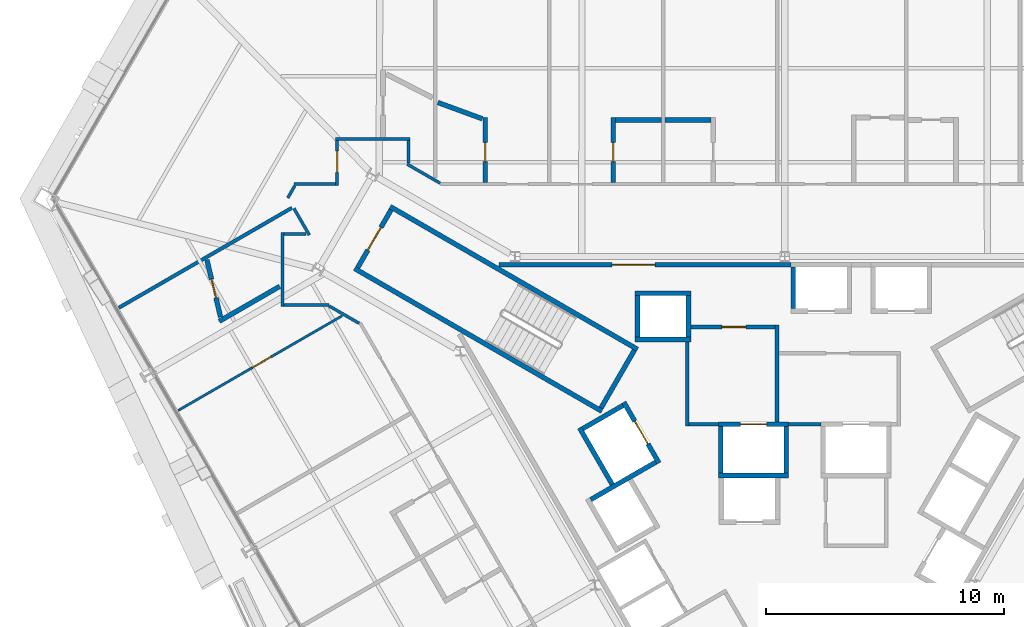
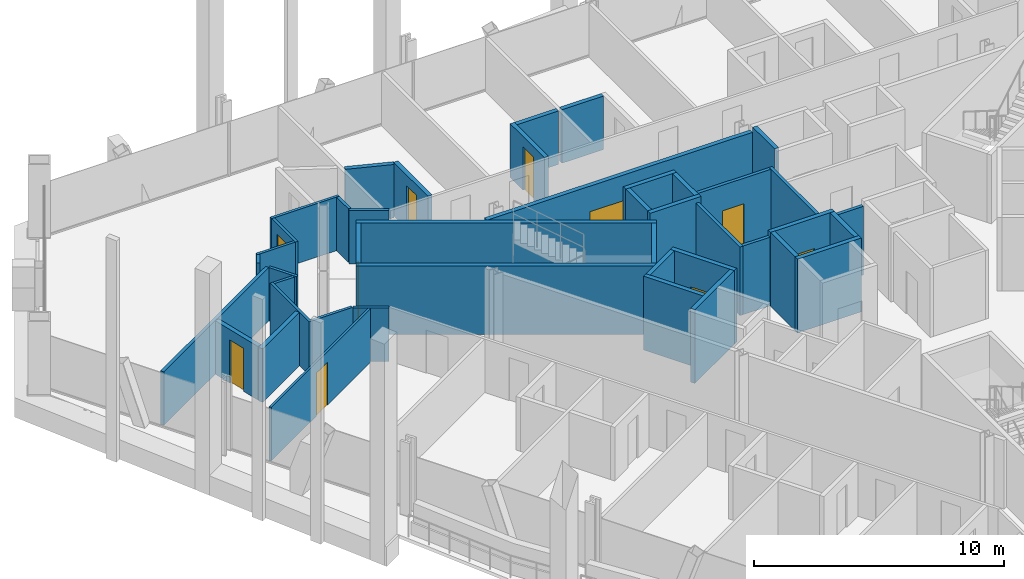
# One storey, part 13 of 18: 43 walls, 10 doors, 10 openings.
"""IFC4 building model written with IfcOpenShell, lengths in metres."""

from ifc_helpers import new_model, si_unit, direction, frame, frame_2d, origin, place, context, subcontext, project, spatial, rectangle, extrude, material, layer, layer_set, type_object, element, fill, save


model = new_model("IFC4")

# Units and contexts
model_context = context("Model", 3, precision=1e-05, world=origin(), true_north=direction((0.0, 1.0)))
body_context = subcontext(model_context, "Body", "Model", "MODEL_VIEW")
ifc_project = project(units=[si_unit("LENGTHUNIT", "METRE"), si_unit("AREAUNIT", "SQUARE_METRE"), si_unit("VOLUMEUNIT", "CUBIC_METRE"), si_unit("PLANEANGLEUNIT", "RADIAN"), si_unit("MASSUNIT", "GRAM", prefix="KILO")], contexts=[model_context])

# Site, building, storey
site_placement = place(None, origin())
site = spatial("IfcSite", under=ifc_project, at=site_placement, CompositionType="ELEMENT")
building_placement = place(site_placement, origin())
building = spatial("IfcBuilding", under=site, at=building_placement, Name="Verrane Prism Tower", CompositionType="ELEMENT")
storey_placement = place(building_placement, frame((0.0, 0.0, 47.60009765625)))
storey = spatial("IfcBuildingStorey", under=building, at=storey_placement, Name="L09", CompositionType="ELEMENT", Elevation=47.60009765625)

# Wall, opening, door
ifc_material_1 = material(Name="Gypsum board partition", Category="other")
ifc_layer_1 = layer(ifc_material_1, 0.199951171875)
ifc_layer_set_1 = layer_set([ifc_layer_1], Name="CW-200 core boundary wall 2 h")
wall_type_1 = type_object("IfcWallType", Name="CW-200 core boundary wall 2 h", PredefinedType="PARTITIONING", material=ifc_layer_set_1)
wall_1_placement = place(storey_placement, frame((0.262939453125, 8.860107421875, 0.0), z_axis=(0.0, 0.0, 1.0), x_axis=(-1.0, 0.0, 0.0)))
wall_1 = element("IfcWall", 1, at=wall_1_placement, inside=storey, type_object=wall_type_1, Name="Core boundary wall CW3-002", PredefinedType="PARTITIONING", context=body_context, shape_type="SweptSolid", body=[
    extrude(rectangle(XDim=12.25390625, YDim=0.199951171875, at=frame_2d((6.126953125, 0.0))), origin(), (0.0, 0.0, 1.0), 3.349853515625),
])
opening_1_placement = place(wall_1_placement, frame((5.708984375, 0.0, 0.0)))
opening_1 = element("IfcOpeningElement", 2, at=opening_1_placement, cuts=wall_1, Name="Opening D09511", PredefinedType="OPENING", context=body_context, shape_type="SweptSolid", body=[
    extrude(rectangle(XDim=1.800048828125, YDim=2.10009765625, at=frame_2d((0.89990234375, 1.050048828125))), frame((0.0, 0.10986328125, 0.0), z_axis=(0.0, -1.0, 0.0), x_axis=(1.0, 0.0, 0.0)), (0.0, 0.0, 1.0), 0.219970703125),
])
ifc_material_2 = material(Name="Timber veneered door leaf", Category="wood")
door_type_1 = type_object("IfcDoorType", Name="DR-1800x2100 FD60 double leaf lift lobby", OperationType="NOTDEFINED", PredefinedType="DOOR", material=ifc_material_2)
door_1_placement = place(opening_1_placement, origin())
door_1 = element("IfcDoor", 3, at=door_1_placement, inside=storey, type_object=door_type_1, Name="Lift lobby door D09511", OperationType="DOUBLE_DOOR_SINGLE_SWING", OverallHeight=2.10009765625, OverallWidth=1.800048828125, PredefinedType="DOOR", context=body_context, shape_type="SweptSolid", body=[
    extrude(rectangle(XDim=1.800048828125, YDim=2.10009765625, at=frame_2d((0.89990234375, 1.050048828125))), frame((0.0, 0.02490234375, 0.0), z_axis=(0.0, -1.0, 0.0), x_axis=(1.0, 0.0, 0.0)), (0.0, 0.0, 1.0), 0.050048828125),
])
fill(opening_1, door_1)

ifc_material_3 = material(Name="Concrete C40/50", Category="concrete")
ifc_layer_2 = layer(ifc_material_3, 0.199951171875)
ifc_layer_set_2 = layer_set([ifc_layer_2], Name="CW-200 stair core wall concrete C40/50 3 h")
wall_type_2 = type_object("IfcWallType", Name="CW-200 stair core wall concrete C40/50 3 h", PredefinedType="PARTITIONING", material=ifc_layer_set_2)
wall_2_placement = place(storey_placement, frame((-16.533935546875, 11.162353515625, 0.0), z_axis=(0.0, 0.0, 1.0), x_axis=(-0.49998411664, -0.866034573852, 0.0)))
wall_2 = element("IfcWall", 4, at=wall_2_placement, inside=storey, type_object=wall_type_2, Name="Stair 2 enclosure wall", PredefinedType="PARTITIONING", context=body_context, shape_type="SweptSolid", body=[
    extrude(rectangle(XDim=2.7998046875, YDim=0.199951171875, at=frame_2d((1.39990234375, 0.0))), origin(), (0.0, 0.0, 1.0), 3.349853515625),
])
opening_2_placement = place(wall_2_placement, frame((0.849853515625, 0.0, 0.0)))
opening_2 = element("IfcOpeningElement", 5, at=opening_2_placement, cuts=wall_2, Name="Opening D09501", PredefinedType="OPENING", context=body_context, shape_type="SweptSolid", body=[
    extrude(rectangle(XDim=1.10009765625, YDim=2.10009765625, at=frame_2d((0.550048828125, 1.050048828125))), frame((0.0, 0.10986328125, 0.0), z_axis=(0.0, -1.0, 0.0), x_axis=(1.0, 0.0, 0.0)), (0.0, 0.0, 1.0), 0.219970703125),
])
ifc_material_4 = material(Name="Timber veneered door leaf", Category="wood")
door_type_2 = type_object("IfcDoorType", Name="DR-1100x2100 FD90 single leaf stair", OperationType="NOTDEFINED", PredefinedType="DOOR", material=ifc_material_4)
door_2_placement = place(opening_2_placement, origin())
door_2 = element("IfcDoor", 6, at=door_2_placement, inside=storey, type_object=door_type_2, Name="Stair 2 door", OperationType="SINGLE_SWING_RIGHT", OverallHeight=2.10009765625, OverallWidth=1.10009765625, PredefinedType="DOOR", context=body_context, shape_type="SweptSolid", body=[
    extrude(rectangle(XDim=1.10009765625, YDim=2.10009765625, at=frame_2d((0.550048828125, 1.050048828125))), frame((0.0, 0.02490234375, 0.0), z_axis=(0.0, -1.0, 0.0), x_axis=(1.0, 0.0, 0.0)), (0.0, 0.0, 1.0), 0.050048828125),
])
fill(opening_2, door_2)

# Walls
for number, where, z_axis, x_axis, name in (
    (7, (-7.67822265625, 2.700927734375, 0.0), (0.0, 0.0, 1.0), (-0.866026010844, 0.49999894854, 0.0), "Stair 2 enclosure wall"),
    (8, (-6.17822265625, 5.299072265625, 0.0), (0.0, 0.0, 1.0), (-0.866026010844, 0.49999894854, 0.0), "Stair 2 enclosure wall"),
):
    element("IfcWall", number, at=place(storey_placement, frame(where, z_axis=z_axis, x_axis=x_axis)), inside=storey, type_object=wall_type_2, Name=name, PredefinedType="PARTITIONING", context=body_context, shape_type="SweptSolid", body=[
        extrude(rectangle(XDim=12.0, YDim=0.199951171875, at=frame_2d((6.0, 0.0))), origin(), (0.0, 0.0, 1.0), 3.349853515625),
    ])
wall_3_placement = place(storey_placement, frame((-6.314697265625, 5.262451171875, 0.0), z_axis=(0.0, 0.0, 1.0), x_axis=(-0.500049511043, -0.865996816683, 0.0)))
element("IfcWall", 9, at=wall_3_placement, inside=storey, type_object=wall_type_2, Name="Stair 2 enclosure wall", PredefinedType="PARTITIONING", context=body_context, shape_type="SweptSolid", body=[
    extrude(rectangle(XDim=2.800048828125, YDim=0.199951171875, at=frame_2d((1.39990234375, 0.0))), origin(), (0.0, 0.0, 1.0), 3.349853515625),
])
ifc_material_5 = material(Name="Gypsum board shaft wall assembly", Category="other")
ifc_layer_3 = layer(ifc_material_5, 0.199951171875)
ifc_layer_set_3 = layer_set([ifc_layer_3], Name="HW-200 lift shaft wall 2 h")
wall_type_3 = type_object("IfcWallType", Name="HW-200 lift shaft wall 2 h", PredefinedType="PARTITIONING", material=ifc_layer_set_3)
wall_4_placement = place(storey_placement, frame((-2.784912109375, 0.0, 0.0), z_axis=(0.0, 0.0, 1.0), x_axis=(1.0, 0.0, 0.0)))
element("IfcWall", 10, at=wall_4_placement, inside=storey, type_object=wall_type_3, Name="Lift shaft wall", PredefinedType="PARTITIONING", context=body_context, shape_type="SweptSolid", body=[
    extrude(rectangle(XDim=2.949951171875, YDim=0.199951171875, at=frame_2d((1.47509765625, 0.0))), origin(), (0.0, 0.0, 1.0), 3.599853515625),
])

# Wall, opening, door
wall_5_placement = place(storey_placement, frame((-2.784912109375, 2.14990234375, 0.0), z_axis=(0.0, 0.0, 1.0), x_axis=(1.0, 0.0, 0.0)))
wall_5 = element("IfcWall", 11, at=wall_5_placement, inside=storey, type_object=wall_type_3, Name="Lift shaft wall", PredefinedType="PARTITIONING", context=body_context, shape_type="SweptSolid", body=[
    extrude(rectangle(XDim=2.949951171875, YDim=0.199951171875, at=frame_2d((1.47509765625, 0.0))), origin(), (0.0, 0.0, 1.0), 3.599853515625),
])
opening_3_placement = place(wall_5_placement, frame((0.925048828125, 0.0, 0.0)))
opening_3 = element("IfcOpeningElement", 12, at=opening_3_placement, cuts=wall_5, Name="Opening D09508", PredefinedType="OPENING", context=body_context, shape_type="SweptSolid", body=[
    extrude(rectangle(XDim=1.10009765625, YDim=2.10009765625, at=frame_2d((0.550048828125, 1.050048828125))), frame((0.0, 0.10986328125, 0.0), z_axis=(0.0, -1.0, 0.0), x_axis=(1.0, 0.0, 0.0)), (0.0, 0.0, 1.0), 0.219970703125),
])
ifc_material_6 = material(Name="Stainless steel sliding landing door", Category="steel")
door_type_3 = type_object("IfcDoorType", Name="LD-1100x2100 lift landing door FD90 sliding", OperationType="NOTDEFINED", PredefinedType="DOOR", material=ifc_material_6)
door_3_placement = place(opening_3_placement, origin())
door_3 = element("IfcDoor", 13, at=door_3_placement, inside=storey, type_object=door_type_3, Name="Fire service lift 1 landing door", OperationType="SLIDING_TO_LEFT", OverallHeight=2.10009765625, OverallWidth=1.10009765625, PredefinedType="DOOR", context=body_context, shape_type="SweptSolid", body=[
    extrude(rectangle(XDim=1.10009765625, YDim=2.10009765625, at=frame_2d((0.550048828125, 1.050048828125))), frame((0.0, 0.02490234375, 0.0), z_axis=(0.0, -1.0, 0.0), x_axis=(1.0, 0.0, 0.0)), (0.0, 0.0, 1.0), 0.050048828125),
])
fill(opening_3, door_3)

# Walls
for number, where, z_axis, x_axis, name in (
    (14, (-6.284912109375, 5.7099609375, 0.0), (0.0, 0.0, 1.0), (1.0, 0.0, 0.0), "Lift shaft wall"),
    (15, (-6.284912109375, 7.659912109375, 0.0), (0.0, 0.0, 1.0), (1.0, 0.0, 0.0), "Lift shaft wall"),
):
    element("IfcWall", number, at=place(storey_placement, frame(where, z_axis=z_axis, x_axis=x_axis)), inside=storey, type_object=wall_type_3, Name=name, PredefinedType="PARTITIONING", context=body_context, shape_type="SweptSolid", body=[
        extrude(rectangle(XDim=2.349853515625, YDim=0.199951171875, at=frame_2d((1.1748046875, 0.0))), origin(), (0.0, 0.0, 1.0), 3.599853515625),
    ])
wall_6_placement = place(storey_placement, frame((-8.14453125, -1.012939453125, 0.0), z_axis=(0.0, 0.0, 1.0), x_axis=(0.866016494683, 0.500015430699, 0.0)))
element("IfcWall", 16, at=wall_6_placement, inside=storey, type_object=wall_type_3, Name="Lift shaft wall", PredefinedType="PARTITIONING", context=body_context, shape_type="SweptSolid", body=[
    extrude(rectangle(XDim=3.14990234375, YDim=0.199951171875, at=frame_2d((1.574951171875, 0.0))), origin(), (0.0, 0.0, 1.0), 3.599853515625),
])
wall_7_placement = place(storey_placement, frame((-8.48046875, 1.968505859375, 0.0), z_axis=(0.0, 0.0, 1.0), x_axis=(0.866000020948, 0.500043961785, 0.0)))
element("IfcWall", 17, at=wall_7_placement, inside=storey, type_object=wall_type_3, Name="Lift shaft wall", PredefinedType="PARTITIONING", context=body_context, shape_type="SweptSolid", body=[
    extrude(rectangle(XDim=1.949951171875, YDim=0.199951171875, at=frame_2d((0.97509765625, 0.0))), origin(), (0.0, 0.0, 1.0), 3.599853515625),
])
wall_8_placement = place(storey_placement, frame((0.364990234375, 7.010009765625, 0.0), z_axis=(0.0, 0.0, 1.0), x_axis=(0.0, 1.0, 0.0)))
element("IfcWall", 18, at=wall_8_placement, inside=storey, type_object=wall_type_3, Name="Lift shaft wall", PredefinedType="PARTITIONING", context=body_context, shape_type="SweptSolid", body=[
    extrude(rectangle(XDim=1.75, YDim=0.199951171875, at=frame_2d((0.875, 0.0))), origin(), (0.0, 0.0, 1.0), 3.599853515625),
])
for number, where, z_axis, x_axis, name in (
    (19, (0.06494140625, 0.10009765625, 0.0), (0.0, 0.0, 1.0), (0.0, 1.0, 0.0), "Lift shaft wall"),
    (20, (-2.68505859375, 0.10009765625, 0.0), (0.0, 0.0, 1.0), (0.0, 1.0, 0.0), "Lift shaft wall"),
):
    element("IfcWall", number, at=place(storey_placement, frame(where, z_axis=z_axis, x_axis=x_axis)), inside=storey, type_object=wall_type_3, Name=name, PredefinedType="PARTITIONING", context=body_context, shape_type="SweptSolid", body=[
        extrude(rectangle(XDim=1.949951171875, YDim=0.199951171875, at=frame_2d((0.97509765625, 0.0))), origin(), (0.0, 0.0, 1.0), 3.599853515625),
    ])
for number, where, z_axis, x_axis, name in (
    (21, (-4.034912109375, 5.81005859375, 0.0), (0.0, 0.0, 1.0), (0.0, 1.0, 0.0), "Lift shaft wall"),
    (22, (-6.18505859375, 5.81005859375, 0.0), (0.0, 0.0, 1.0), (0.0, 1.0, 0.0), "Lift shaft wall"),
):
    element("IfcWall", number, at=place(storey_placement, frame(where, z_axis=z_axis, x_axis=x_axis)), inside=storey, type_object=wall_type_3, Name=name, PredefinedType="PARTITIONING", context=body_context, shape_type="SweptSolid", body=[
        extrude(rectangle(XDim=1.75, YDim=0.199951171875, at=frame_2d((0.875, 0.0))), origin(), (0.0, 0.0, 1.0), 3.599853515625),
    ])

# Wall, opening, door
wall_9_placement = place(storey_placement, frame((-5.280029296875, 0.525390625, 0.0), z_axis=(0.0, 0.0, 1.0), x_axis=(-0.500037662692, 0.866003658127, 0.0)))
wall_9 = element("IfcWall", 23, at=wall_9_placement, inside=storey, type_object=wall_type_3, Name="Lift shaft wall", PredefinedType="PARTITIONING", context=body_context, shape_type="SweptSolid", body=[
    extrude(rectangle(XDim=2.949951171875, YDim=0.199951171875, at=frame_2d((1.47509765625, 0.0))), origin(), (0.0, 0.0, 1.0), 3.599853515625),
])
opening_4_placement = place(wall_9_placement, frame((0.925048828125, 0.0, 0.0)))
opening_4 = element("IfcOpeningElement", 24, at=opening_4_placement, cuts=wall_9, Name="Opening D09510", PredefinedType="OPENING", context=body_context, shape_type="SweptSolid", body=[
    extrude(rectangle(XDim=1.10009765625, YDim=2.10009765625, at=frame_2d((0.550048828125, 1.050048828125))), frame((0.0, 0.10986328125, 0.0), z_axis=(0.0, -1.0, 0.0), x_axis=(1.0, 0.0, 0.0)), (0.0, 0.0, 1.0), 0.219970703125),
])
door_4_placement = place(opening_4_placement, origin())
door_4 = element("IfcDoor", 25, at=door_4_placement, inside=storey, type_object=door_type_3, Name="Service lift 1 landing door", OperationType="SLIDING_TO_LEFT", OverallHeight=2.10009765625, OverallWidth=1.10009765625, PredefinedType="DOOR", context=body_context, shape_type="SweptSolid", body=[
    extrude(rectangle(XDim=1.10009765625, YDim=2.10009765625, at=frame_2d((0.550048828125, 1.050048828125))), frame((0.0, 0.02490234375, 0.0), z_axis=(0.0, -1.0, 0.0), x_axis=(1.0, 0.0, 0.0)), (0.0, 0.0, 1.0), 0.050048828125),
])
fill(opening_4, door_4)

# Walls
wall_10_placement = place(storey_placement, frame((-7.241943359375, -0.37646484375, 0.0), z_axis=(0.0, 0.0, 1.0), x_axis=(-0.499996545922, 0.866027397988, 0.0)))
element("IfcWall", 26, at=wall_10_placement, inside=storey, type_object=wall_type_3, Name="Lift shaft wall", PredefinedType="PARTITIONING", context=body_context, shape_type="SweptSolid", body=[
    extrude(rectangle(XDim=2.75, YDim=0.199951171875, at=frame_2d((1.375, 0.0))), origin(), (0.0, 0.0, 1.0), 3.599853515625),
])
ifc_material_7 = material(Name="Gypsum board partition", Category="other")
ifc_layer_4 = layer(ifc_material_7, 0.14990234375)
ifc_layer_set_4 = layer_set([ifc_layer_4], Name="LF-150 firefighting lobby wall 1 h")
wall_type_4 = type_object("IfcWallType", Name="LF-150 firefighting lobby wall 1 h", PredefinedType="PARTITIONING", material=ifc_layer_set_4)
wall_11_placement = place(storey_placement, frame((-4.10009765625, 2.0849609375, 0.0), z_axis=(0.0, 0.0, 1.0), x_axis=(0.0, 1.0, 0.0)))
element("IfcWall", 27, at=wall_11_placement, inside=storey, type_object=wall_type_4, Name="Firefighting lobby wall LF1-001", PredefinedType="PARTITIONING", context=body_context, shape_type="SweptSolid", body=[
    extrude(rectangle(XDim=3.52294921875, YDim=0.14990234375, at=frame_2d((1.761474609375, 0.0))), origin(), (0.0, 0.0, 1.0), 3.349853515625),
])
wall_12_placement = place(storey_placement, frame((-4.02490234375, 2.159912109375, 0.0), z_axis=(0.0, 0.0, 1.0), x_axis=(1.0, 0.0, 0.0)))
element("IfcWall", 28, at=wall_12_placement, inside=storey, type_object=wall_type_4, Name="Firefighting lobby wall LF1-002", PredefinedType="PARTITIONING", context=body_context, shape_type="SweptSolid", body=[
    extrude(rectangle(XDim=1.23779296875, YDim=0.14990234375, at=frame_2d((0.618896484375, 0.0))), origin(), (0.0, 0.0, 1.0), 3.349853515625),
])

# Wall, opening, door
wall_13_placement = place(storey_placement, frame((-3.93310546875, 6.239990234375, 0.0), z_axis=(0.0, 0.0, 1.0), x_axis=(1.0, 0.0, 0.0)))
wall_13 = element("IfcWall", 29, at=wall_13_placement, inside=storey, type_object=wall_type_4, Name="Firefighting lobby wall LF1-003", PredefinedType="PARTITIONING", context=body_context, shape_type="SweptSolid", body=[
    extrude(rectangle(XDim=3.5380859375, YDim=0.14990234375, at=frame_2d((1.76904296875, 0.0))), origin(), (0.0, 0.0, 1.0), 3.349853515625),
])
opening_5_placement = place(wall_13_placement, frame((1.300048828125, 0.0, 0.0)))
opening_5 = element("IfcOpeningElement", 30, at=opening_5_placement, cuts=wall_13, Name="Opening D09515", PredefinedType="OPENING", context=body_context, shape_type="SweptSolid", body=[
    extrude(rectangle(XDim=1.0, YDim=2.10009765625, at=frame_2d((0.5, 1.050048828125))), frame((0.0, 0.0849609375, 0.0), z_axis=(0.0, -1.0, 0.0), x_axis=(1.0, 0.0, 0.0)), (0.0, 0.0, 1.0), 0.169921875),
])
ifc_material_8 = material(Name="Timber veneered door leaf", Category="wood")
door_type_4 = type_object("IfcDoorType", Name="DR-1000x2100 FD60 single leaf firefighting lobby", OperationType="NOTDEFINED", PredefinedType="DOOR", material=ifc_material_8)
door_5_placement = place(opening_5_placement, origin())
door_5 = element("IfcDoor", 31, at=door_5_placement, inside=storey, type_object=door_type_4, Name="Firefighting lobby door D09515", OperationType="SINGLE_SWING_LEFT", OverallHeight=2.10009765625, OverallWidth=1.0, PredefinedType="DOOR", context=body_context, shape_type="SweptSolid", body=[
    extrude(rectangle(XDim=1.0, YDim=2.10009765625, at=frame_2d((0.5, 1.050048828125))), frame((0.0, 0.02490234375, 0.0), z_axis=(0.0, -1.0, 0.0), x_axis=(1.0, 0.0, 0.0)), (0.0, 0.0, 1.0), 0.050048828125),
])
fill(opening_5, door_5)

# Walls
wall_14_placement = place(storey_placement, frame((-0.320068359375, 2.251953125, 0.0), z_axis=(0.0, 0.0, 1.0), x_axis=(0.0, 1.0, 0.0)))
element("IfcWall", 32, at=wall_14_placement, inside=storey, type_object=wall_type_4, Name="Firefighting lobby wall LF1-004", PredefinedType="PARTITIONING", context=body_context, shape_type="SweptSolid", body=[
    extrude(rectangle(XDim=4.06298828125, YDim=0.14990234375, at=frame_2d((2.031494140625, 0.0))), origin(), (0.0, 0.0, 1.0), 3.349853515625),
])
wall_15_placement = place(storey_placement, frame((0.1669921875, 2.159912109375, 0.0), z_axis=(0.0, 0.0, 1.0), x_axis=(1.0, 0.0, 0.0)))
element("IfcWall", 33, at=wall_15_placement, inside=storey, type_object=wall_type_4, Name="Firefighting lobby wall LF1-006", PredefinedType="PARTITIONING", context=body_context, shape_type="SweptSolid", body=[
    extrude(rectangle(XDim=1.35595703125, YDim=0.14990234375, at=frame_2d((0.677978515625, 0.0))), origin(), (0.0, 0.0, 1.0), 3.349853515625),
])

# Wall, opening, door
ifc_material_9 = material(Name="Gypsum board partition", Category="other")
ifc_layer_5 = layer(ifc_material_9, 0.10009765625)
ifc_layer_set_5 = layer_set([ifc_layer_5], Name="PW-100 room partition")
wall_type_5 = type_object("IfcWallType", Name="PW-100 room partition", PredefinedType="PARTITIONING", material=ifc_layer_set_5)
wall_16_placement = place(storey_placement, frame((-25.4755859375, 2.735107421875, 0.0), z_axis=(0.0, 0.0, 1.0), x_axis=(0.866077639848, 0.499909513568, 0.0)))
wall_16 = element("IfcWall", 34, at=wall_16_placement, inside=storey, type_object=wall_type_5, Name="Room partition 002", PredefinedType="PARTITIONING", context=body_context, shape_type="SweptSolid", body=[
    extrude(rectangle(XDim=7.9462890625, YDim=0.10009765625, at=frame_2d((3.97314453125, 0.0))), origin(), (0.0, 0.0, 1.0), 2.61279296875),
])
opening_6_placement = place(wall_16_placement, frame((3.603759765625, 0.0, 0.0)))
opening_6 = element("IfcOpeningElement", 35, at=opening_6_placement, cuts=wall_16, Name="Opening D09027", PredefinedType="OPENING", context=body_context, shape_type="SweptSolid", body=[
    extrude(rectangle(XDim=0.89990234375, YDim=2.10009765625, at=frame_2d((0.449951171875, 1.050048828125))), frame((0.0, 0.06005859375, 0.0), z_axis=(0.0, -1.0, 0.0), x_axis=(1.0, 0.0, 0.0)), (0.0, 0.0, 1.0), 0.1201171875),
])
ifc_material_10 = material(Name="Timber veneered door leaf", Category="wood")
door_type_5 = type_object("IfcDoorType", Name="DR-900x2100 single leaf inner", OperationType="NOTDEFINED", PredefinedType="DOOR", material=ifc_material_10)
door_6_placement = place(opening_6_placement, origin())
door_6 = element("IfcDoor", 36, at=door_6_placement, inside=storey, type_object=door_type_5, Name="Suite Living Room door", OperationType="SINGLE_SWING_LEFT", OverallHeight=2.10009765625, OverallWidth=0.89990234375, PredefinedType="DOOR", context=body_context, shape_type="SweptSolid", body=[
    extrude(rectangle(XDim=0.89990234375, YDim=2.10009765625, at=frame_2d((0.449951171875, 1.050048828125))), frame((0.0, 0.02490234375, 0.0), z_axis=(0.0, -1.0, 0.0), x_axis=(1.0, 0.0, 0.0)), (0.0, 0.0, 1.0), 0.050048828125),
])
fill(opening_6, door_6)

# Walls
ifc_material_11 = material(Name="Gypsum board partition", Category="other")
ifc_layer_6 = layer(ifc_material_11, 0.125)
ifc_layer_set_6 = layer_set([ifc_layer_6], Name="PW-125 corridor wall 1 h")
wall_type_6 = type_object("IfcWallType", Name="PW-125 corridor wall 1 h", PredefinedType="PARTITIONING", material=ifc_layer_set_6)
wall_17_placement = place(storey_placement, frame((-21.096923828125, 7.1005859375, 0.0), z_axis=(0.0, 0.0, 1.0), x_axis=(0.0, 1.0, 0.0)))
element("IfcWall", 37, at=wall_17_placement, inside=storey, type_object=wall_type_6, Name="Corridor wall 006", PredefinedType="PARTITIONING", context=body_context, shape_type="SweptSolid", body=[
    extrude(rectangle(XDim=3.118896484375, YDim=0.125, at=frame_2d((1.5595703125, 0.0))), origin(), (0.0, 0.0, 1.0), 2.61279296875),
])
wall_18_placement = place(storey_placement, frame((-21.031982421875, 7.1630859375, 0.0), z_axis=(0.0, 0.0, 1.0), x_axis=(1.0, 0.0, 0.0)))
element("IfcWall", 38, at=wall_18_placement, inside=storey, type_object=wall_type_6, Name="Corridor wall 007", PredefinedType="PARTITIONING", context=body_context, shape_type="SweptSolid", body=[
    extrude(rectangle(XDim=1.888427734375, YDim=0.125, at=frame_2d((0.9443359375, 0.0))), origin(), (0.0, 0.0, 1.0), 2.61279296875),
])
wall_19_placement = place(storey_placement, frame((-21.031982421875, 10.156982421875, 0.0), z_axis=(0.0, 0.0, 1.0), x_axis=(1.0, 0.0, 0.0)))
element("IfcWall", 39, at=wall_19_placement, inside=storey, type_object=wall_type_6, Name="Corridor wall 008", PredefinedType="PARTITIONING", context=body_context, shape_type="SweptSolid", body=[
    extrude(rectangle(XDim=0.927978515625, YDim=0.125, at=frame_2d((0.4638671875, 0.0))), origin(), (0.0, 0.0, 1.0), 2.61279296875),
])
wall_20_placement = place(storey_placement, frame((-20.87109375, 11.6669921875, 0.0), z_axis=(0.0, 0.0, 1.0), x_axis=(0.500769941337, 0.865580421367, 0.0)))
element("IfcWall", 40, at=wall_20_placement, inside=storey, type_object=wall_type_6, Name="Corridor wall 009", PredefinedType="PARTITIONING", context=body_context, shape_type="SweptSolid", body=[
    extrude(rectangle(XDim=0.578125, YDim=0.125, at=frame_2d((0.2890625, 0.0))), origin(), (0.0, 0.0, 1.0), 2.61279296875),
])
wall_21_placement = place(storey_placement, frame((-20.61474609375, 11.22314453125, 0.0), z_axis=(0.0, 0.0, 1.0), x_axis=(0.500076370288, -0.865981306888, 0.0)))
element("IfcWall", 41, at=wall_21_placement, inside=storey, type_object=wall_type_6, Name="Corridor wall 010", PredefinedType="PARTITIONING", context=body_context, shape_type="SweptSolid", body=[
    extrude(rectangle(XDim=1.293701171875, YDim=0.125, at=frame_2d((0.64697265625, 0.0))), origin(), (0.0, 0.0, 1.0), 2.61279296875),
])
wall_22_placement = place(storey_placement, frame((-20.6015625, 12.240966796875, 0.0), z_axis=(0.0, 0.0, 1.0), x_axis=(1.0, 0.0, 0.0)))
element("IfcWall", 42, at=wall_22_placement, inside=storey, type_object=wall_type_6, Name="Corridor wall 011", PredefinedType="PARTITIONING", context=body_context, shape_type="SweptSolid", body=[
    extrude(rectangle(XDim=1.739501953125, YDim=0.125, at=frame_2d((0.86962890625, 0.0))), origin(), (0.0, 0.0, 1.0), 2.61279296875),
])
wall_23_placement = place(storey_placement, frame((-19.13232421875, 7.12060546875, 0.0), z_axis=(0.0, 0.0, 1.0), x_axis=(0.865894215669, -0.500227155672, 0.0)))
element("IfcWall", 43, at=wall_23_placement, inside=storey, type_object=wall_type_6, Name="Corridor wall 013", PredefinedType="PARTITIONING", context=body_context, shape_type="SweptSolid", body=[
    extrude(rectangle(XDim=1.451416015625, YDim=0.125, at=frame_2d((0.7255859375, 0.0))), origin(), (0.0, 0.0, 1.0), 2.61279296875),
])

# Wall, opening, door
wall_24_placement = place(storey_placement, frame((-18.797119140625, 12.178466796875, 0.0), z_axis=(0.0, 0.0, 1.0), x_axis=(0.0, 1.0, 0.0)))
wall_24 = element("IfcWall", 44, at=wall_24_placement, inside=storey, type_object=wall_type_6, Name="Corridor wall 014", PredefinedType="PARTITIONING", context=body_context, shape_type="SweptSolid", body=[
    extrude(rectangle(XDim=1.8935546875, YDim=0.125, at=frame_2d((0.94677734375, 0.0))), origin(), (0.0, 0.0, 1.0), 2.61279296875),
])
opening_7_placement = place(wall_24_placement, frame((0.5625, 0.0, 0.0)))
opening_7 = element("IfcOpeningElement", 45, at=opening_7_placement, cuts=wall_24, Name="Opening D09024", PredefinedType="OPENING", context=body_context, shape_type="SweptSolid", body=[
    extrude(rectangle(XDim=0.89990234375, YDim=2.10009765625, at=frame_2d((0.449951171875, 1.050048828125))), frame((0.0, 0.072509765625, 0.0), z_axis=(0.0, -1.0, 0.0), x_axis=(1.0, 0.0, 0.0)), (0.0, 0.0, 1.0), 0.14501953125),
])
ifc_material_12 = material(Name="Timber veneered door leaf", Category="wood")
door_type_6 = type_object("IfcDoorType", Name="DR-900x2100 FD20 single leaf unit", OperationType="NOTDEFINED", PredefinedType="DOOR", material=ifc_material_12)
door_7_placement = place(opening_7_placement, origin())
door_7 = element("IfcDoor", 46, at=door_7_placement, inside=storey, type_object=door_type_6, Name="Corner Suite door", OperationType="SINGLE_SWING_RIGHT", OverallHeight=2.10009765625, OverallWidth=0.89990234375, PredefinedType="DOOR", context=body_context, shape_type="SweptSolid", body=[
    extrude(rectangle(XDim=0.89990234375, YDim=2.10009765625, at=frame_2d((0.449951171875, 1.050048828125))), frame((0.0, 0.02490234375, 0.0), z_axis=(0.0, -1.0, 0.0), x_axis=(1.0, 0.0, 0.0)), (0.0, 0.0, 1.0), 0.050048828125),
])
fill(opening_7, door_7)

# Walls
wall_25_placement = place(storey_placement, frame((-18.859619140625, 14.136962890625, 0.0), z_axis=(0.0, 0.0, 1.0), x_axis=(1.0, 0.0, 0.0)))
element("IfcWall", 47, at=wall_25_placement, inside=storey, type_object=wall_type_6, Name="Corridor wall 015", PredefinedType="PARTITIONING", context=body_context, shape_type="SweptSolid", body=[
    extrude(rectangle(XDim=3.119140625, YDim=0.125, at=frame_2d((1.5595703125, 0.0))), origin(), (0.0, 0.0, 1.0), 2.61279296875),
])
wall_26_placement = place(storey_placement, frame((-15.802978515625, 13.135009765625, 0.0), z_axis=(0.0, 0.0, 1.0), x_axis=(0.0, 1.0, 0.0)))
element("IfcWall", 48, at=wall_26_placement, inside=storey, type_object=wall_type_6, Name="Corridor wall 022", PredefinedType="PARTITIONING", context=body_context, shape_type="SweptSolid", body=[
    extrude(rectangle(XDim=0.93701171875, YDim=0.125, at=frame_2d((0.468505859375, 0.0))), origin(), (0.0, 0.0, 1.0), 2.61279296875),
])
wall_27_placement = place(storey_placement, frame((-15.857177734375, 13.081298828125, 0.0), z_axis=(0.0, 0.0, 1.0), x_axis=(0.865974057503, -0.500088923824, 0.0)))
element("IfcWall", 49, at=wall_27_placement, inside=storey, type_object=wall_type_6, Name="Corridor wall 023", PredefinedType="PARTITIONING", context=body_context, shape_type="SweptSolid", body=[
    extrude(rectangle(XDim=1.595458984375, YDim=0.125, at=frame_2d((0.7978515625, 0.0))), origin(), (0.0, 0.0, 1.0), 2.61279296875),
])
ifc_material_13 = material(Name="Gypsum board partition", Category="other")
ifc_layer_7 = layer(ifc_material_13, 0.14990234375)
ifc_layer_set_7 = layer_set([ifc_layer_7], Name="PW-150 demising wall 1 h")
wall_type_7 = type_object("IfcWallType", Name="PW-150 demising wall 1 h", PredefinedType="PARTITIONING", material=ifc_layer_set_7)
wall_28_placement = place(storey_placement, frame((-27.966796875, 7.050048828125, 0.0), z_axis=(0.0, 0.0, 1.0), x_axis=(0.86603249375, 0.499987719618, 0.0)))
element("IfcWall", 50, at=wall_28_placement, inside=storey, type_object=wall_type_7, Name="Demising wall 001", PredefinedType="PARTITIONING", context=body_context, shape_type="SweptSolid", body=[
    extrude(rectangle(XDim=8.391845703125, YDim=0.14990234375, at=frame_2d((4.19580078125, 0.0))), origin(), (0.0, 0.0, 1.0), 2.61279296875),
])

# Wall, opening, door
ifc_material_14 = material(Name="Gypsum board partition", Category="other")
ifc_layer_8 = layer(ifc_material_14, 0.199951171875)
ifc_layer_set_8 = layer_set([ifc_layer_8], Name="PW-200 plumbing wall")
wall_type_8 = type_object("IfcWallType", Name="PW-200 plumbing wall", PredefinedType="PARTITIONING", material=ifc_layer_set_8)
wall_29_placement = place(storey_placement, frame((-24.27197265625, 9.06396484375, 0.0), z_axis=(0.0, 0.0, 1.0), x_axis=(0.232636237171, -0.972563818551, 0.0)))
wall_29 = element("IfcWall", 51, at=wall_29_placement, inside=storey, type_object=wall_type_8, Name="Plumbing wall 003", PredefinedType="PARTITIONING", context=body_context, shape_type="SweptSolid", body=[
    extrude(rectangle(XDim=2.469482421875, YDim=0.199951171875, at=frame_2d((1.23486328125, 0.0))), origin(), (0.0, 0.0, 1.0), 2.61279296875),
])
opening_8_placement = place(wall_29_placement, frame((0.842041015625, 0.0, 0.0)))
opening_8 = element("IfcOpeningElement", 52, at=opening_8_placement, cuts=wall_29, Name="Opening D09028", PredefinedType="OPENING", context=body_context, shape_type="SweptSolid", body=[
    extrude(rectangle(XDim=0.800048828125, YDim=2.10009765625, at=frame_2d((0.39990234375, 1.050048828125))), frame((0.0, 0.10986328125, 0.0), z_axis=(0.0, -1.0, 0.0), x_axis=(1.0, 0.0, 0.0)), (0.0, 0.0, 1.0), 0.219970703125),
])
ifc_material_15 = material(Name="Timber veneered door leaf", Category="wood")
door_type_7 = type_object("IfcDoorType", Name="DR-800x2100 single leaf bath", OperationType="NOTDEFINED", PredefinedType="DOOR", material=ifc_material_15)
door_8_placement = place(opening_8_placement, origin())
door_8 = element("IfcDoor", 53, at=door_8_placement, inside=storey, type_object=door_type_7, Name="En-Suite door", OperationType="SINGLE_SWING_RIGHT", OverallHeight=2.10009765625, OverallWidth=0.800048828125, PredefinedType="DOOR", context=body_context, shape_type="SweptSolid", body=[
    extrude(rectangle(XDim=0.800048828125, YDim=2.10009765625, at=frame_2d((0.39990234375, 1.050048828125))), frame((0.0, 0.02490234375, 0.0), z_axis=(0.0, -1.0, 0.0), x_axis=(1.0, 0.0, 0.0)), (0.0, 0.0, 1.0), 0.050048828125),
])
fill(opening_8, door_8)

# Walls
wall_30_placement = place(storey_placement, frame((-23.752685546875, 6.48095703125, 0.0), z_axis=(0.0, 0.0, 1.0), x_axis=(0.866070680301, 0.499921570572, 0.0)))
element("IfcWall", 54, at=wall_30_placement, inside=storey, type_object=wall_type_8, Name="Plumbing wall 004", PredefinedType="PARTITIONING", context=body_context, shape_type="SweptSolid", body=[
    extrude(rectangle(XDim=2.9365234375, YDim=0.199951171875, at=frame_2d((1.46826171875, 0.0))), origin(), (0.0, 0.0, 1.0), 2.61279296875),
])
wall_31_placement = place(storey_placement, frame((-14.566650390625, 15.6708984375, 0.0), z_axis=(0.0, 0.0, 1.0), x_axis=(0.938894816734, -0.344204188105, 0.0)))
element("IfcWall", 55, at=wall_31_placement, inside=storey, type_object=wall_type_8, Name="Plumbing wall 027", PredefinedType="PARTITIONING", context=body_context, shape_type="SweptSolid", body=[
    extrude(rectangle(XDim=1.990234375, YDim=0.199951171875, at=frame_2d((0.9951171875, 0.0))), origin(), (0.0, 0.0, 1.0), 2.61279296875),
])

# Wall, opening, door
wall_32_placement = place(storey_placement, frame((-12.575927734375, 12.303466796875, 0.0), z_axis=(0.0, 0.0, 1.0), x_axis=(0.0, 1.0, 0.0)))
wall_32 = element("IfcWall", 56, at=wall_32_placement, inside=storey, type_object=wall_type_8, Name="Plumbing wall 031", PredefinedType="PARTITIONING", context=body_context, shape_type="SweptSolid", body=[
    extrude(rectangle(XDim=2.737548828125, YDim=0.199951171875, at=frame_2d((1.36865234375, 0.0))), origin(), (0.0, 0.0, 1.0), 2.61279296875),
])
opening_9_placement = place(wall_32_placement, frame((0.887451171875, 0.0, 0.0)))
opening_9 = element("IfcOpeningElement", 57, at=opening_9_placement, cuts=wall_32, Name="Opening D09023", PredefinedType="OPENING", context=body_context, shape_type="SweptSolid", body=[
    extrude(rectangle(XDim=0.800048828125, YDim=2.10009765625, at=frame_2d((0.39990234375, 1.050048828125))), frame((0.0, 0.10986328125, 0.0), z_axis=(0.0, -1.0, 0.0), x_axis=(1.0, 0.0, 0.0)), (0.0, 0.0, 1.0), 0.219970703125),
])
door_9_placement = place(opening_9_placement, origin())
door_9 = element("IfcDoor", 58, at=door_9_placement, inside=storey, type_object=door_type_7, Name="En-Suite door", OperationType="SINGLE_SWING_LEFT", OverallHeight=2.10009765625, OverallWidth=0.800048828125, PredefinedType="DOOR", context=body_context, shape_type="SweptSolid", body=[
    extrude(rectangle(XDim=0.800048828125, YDim=2.10009765625, at=frame_2d((0.39990234375, 1.050048828125))), frame((0.0, 0.02490234375, 0.0), z_axis=(0.0, -1.0, 0.0), x_axis=(1.0, 0.0, 0.0)), (0.0, 0.0, 1.0), 0.050048828125),
])
fill(opening_9, door_9)

wall_33_placement = place(storey_placement, frame((-7.199951171875, 15.041015625, 0.0), z_axis=(0.0, 0.0, 1.0), x_axis=(0.0, -1.0, 0.0)))
wall_33 = element("IfcWall", 59, at=wall_33_placement, inside=storey, type_object=wall_type_8, Name="Plumbing wall 038", PredefinedType="PARTITIONING", context=body_context, shape_type="SweptSolid", body=[
    extrude(rectangle(XDim=2.737548828125, YDim=0.199951171875, at=frame_2d((1.36865234375, 0.0))), origin(), (0.0, 0.0, 1.0), 2.61279296875),
])
opening_10_placement = place(wall_33_placement, frame((1.050048828125, 0.0, 0.0)))
opening_10 = element("IfcOpeningElement", 60, at=opening_10_placement, cuts=wall_33, Name="Opening D09021", PredefinedType="OPENING", context=body_context, shape_type="SweptSolid", body=[
    extrude(rectangle(XDim=0.800048828125, YDim=2.10009765625, at=frame_2d((0.39990234375, 1.050048828125))), frame((0.0, 0.10986328125, 0.0), z_axis=(0.0, -1.0, 0.0), x_axis=(1.0, 0.0, 0.0)), (0.0, 0.0, 1.0), 0.219970703125),
])
door_10_placement = place(opening_10_placement, origin())
door_10 = element("IfcDoor", 61, at=door_10_placement, inside=storey, type_object=door_type_7, Name="En-Suite door", OperationType="SINGLE_SWING_RIGHT", OverallHeight=2.10009765625, OverallWidth=0.800048828125, PredefinedType="DOOR", context=body_context, shape_type="SweptSolid", body=[
    extrude(rectangle(XDim=0.800048828125, YDim=2.10009765625, at=frame_2d((0.39990234375, 1.050048828125))), frame((0.0, 0.02490234375, 0.0), z_axis=(0.0, -1.0, 0.0), x_axis=(1.0, 0.0, 0.0)), (0.0, 0.0, 1.0), 0.050048828125),
])
fill(opening_10, door_10)

# Walls
wall_34_placement = place(storey_placement, frame((-7.10009765625, 14.94091796875, 0.0), z_axis=(0.0, 0.0, 1.0), x_axis=(1.0, 0.0, 0.0)))
element("IfcWall", 62, at=wall_34_placement, inside=storey, type_object=wall_type_8, Name="Plumbing wall 039", PredefinedType="PARTITIONING", context=body_context, shape_type="SweptSolid", body=[
    extrude(rectangle(XDim=1.920166015625, YDim=0.199951171875, at=frame_2d((0.9599609375, 0.0))), origin(), (0.0, 0.0, 1.0), 2.61279296875),
])
wall_35_placement = place(storey_placement, frame((-5.02001953125, 14.94091796875, 0.0), z_axis=(0.0, 0.0, 1.0), x_axis=(1.0, 0.0, 0.0)))
element("IfcWall", 63, at=wall_35_placement, inside=storey, type_object=wall_type_8, Name="Plumbing wall 045", PredefinedType="PARTITIONING", context=body_context, shape_type="SweptSolid", body=[
    extrude(rectangle(XDim=1.919921875, YDim=0.199951171875, at=frame_2d((0.9599609375, 0.0))), origin(), (0.0, 0.0, 1.0), 2.61279296875),
])

save(model, "model.ifc")
